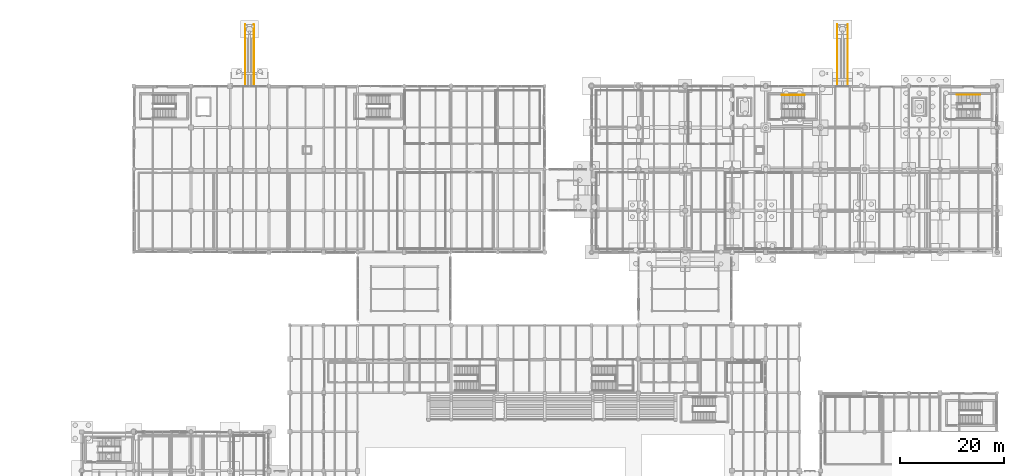
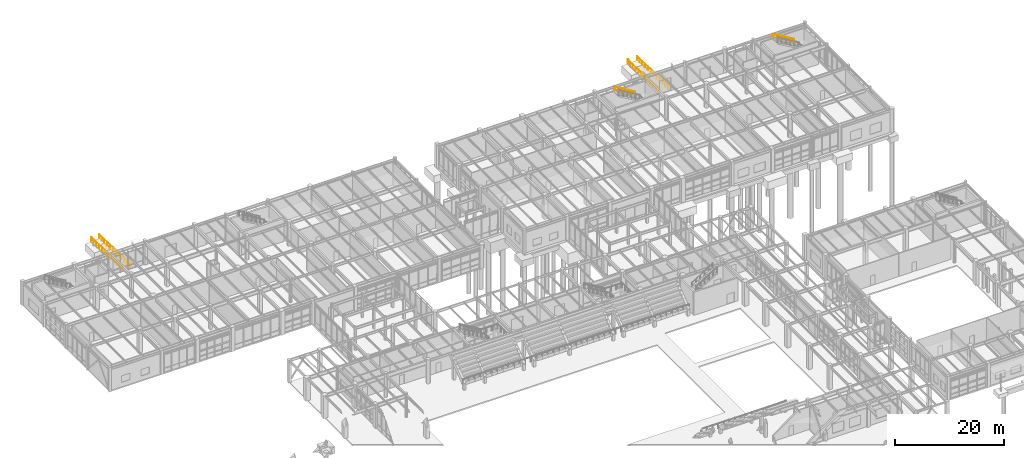
# One storey, part 202 of 203: 6 railings.
"""IFC4 building model written with IfcOpenShell, lengths in metres."""

import ifcopenshell
import ifcopenshell.guid

model = None  # the IFC model being written
_history = None  # IfcOwnerHistory: only IFC2X3 demands one
_inside = {}  # id of a spatial element -> (the spatial element, [elements in it])
_under = {}  # id of a project, library or spatial element -> (it, [spatial elements below it])
_declared = {}  # id of a project -> (the project, [libraries it declares])
_typed = {}  # id of a type object -> (the type object, [elements of that type])
_made_of = {}  # id of a material, layer set ... -> (it, [elements and type objects made of it])


def new_model(schema):
    """Start an empty IFC model of exactly this schema.

    Asked for "IFC4X3", IfcOpenShell would pick the latest addendum, in which some entities
    have other attributes; the version numbers below select the first issue.
    IFC2X3 requires an IfcOwnerHistory on every rooted entity: one is made here for all.
    """
    global model, _history
    if schema == "IFC4X3":
        model = ifcopenshell.file(schema_version=(4, 3, 0, 0))
    else:
        model = ifcopenshell.file(schema=schema)
    _inside.clear()
    _under.clear()
    _declared.clear()
    _typed.clear()
    _made_of.clear()
    _history = None
    if model.schema == "IFC2X3":
        org = make("IfcOrganization", Name="unknown")
        user = make(
            "IfcPersonAndOrganization",
            ThePerson=make("IfcPerson", FamilyName="unknown"),
            TheOrganization=org,
        )
        app = make(
            "IfcApplication",
            ApplicationDeveloper=org,
            Version="unknown",
            ApplicationFullName="unknown",
            ApplicationIdentifier="unknown",
        )
        _history = make(
            "IfcOwnerHistory",
            OwningUser=user,
            OwningApplication=app,
            ChangeAction="ADDED",
            CreationDate=0,
        )
    return model


def make(cls, **values):
    """One entity of the class cls with the attributes given. An attribute that is None is left unset."""
    return model.create_entity(
        cls, **{name: value for name, value in values.items() if value is not None}
    )


def rooted(cls, **values):
    """An entity with a GlobalId (a new one), such as an element, a storey or a relation."""
    return make(cls, GlobalId=ifcopenshell.guid.new(), OwnerHistory=_history, **values)


def si_unit(unit_type, name, prefix=None):
    """IfcSIUnit, for example si_unit("LENGTHUNIT", "METRE", prefix="MILLI")."""
    return make("IfcSIUnit", UnitType=unit_type, Prefix=prefix, Name=name)


def assignment(units):
    """IfcUnitAssignment: the units of a project."""
    return None if units is None else make("IfcUnitAssignment", Units=units)


def point(xyz):
    """IfcCartesianPoint."""
    return None if xyz is None else make("IfcCartesianPoint", Coordinates=xyz)


def direction(xyz):
    """IfcDirection."""
    return None if xyz is None else make("IfcDirection", DirectionRatios=xyz)


def frame(location, z_axis=None, x_axis=None):
    """IfcAxis2Placement3D, a coordinate frame: its origin and axes. An axis left out is left unset."""
    return make(
        "IfcAxis2Placement3D",
        Location=point(location),
        Axis=direction(z_axis),
        RefDirection=direction(x_axis),
    )


def frame_2d(location, x_axis=None):
    """IfcAxis2Placement2D, a coordinate frame in the plane: its origin and x axis."""
    return make(
        "IfcAxis2Placement2D", Location=point(location), RefDirection=direction(x_axis)
    )


def origin():
    """The frame at (0, 0, 0) with its axes left unset."""
    return frame((0.0, 0.0, 0.0))


def origin_2d():
    """The frame at (0, 0) in the plane with its x axis left unset."""
    return frame_2d((0.0, 0.0))


def place(relative_to, where):
    """IfcLocalPlacement: puts the frame where relative to a parent placement (None: the world)."""
    return make(
        "IfcLocalPlacement", PlacementRelTo=relative_to, RelativePlacement=where
    )


def context(
    kind, dimensions, precision=None, world=None, true_north=None, identifier=None
):
    """IfcGeometricRepresentationContext, for example the 3D "Model" context."""
    return make(
        "IfcGeometricRepresentationContext",
        ContextIdentifier=identifier,
        ContextType=kind,
        CoordinateSpaceDimension=dimensions,
        Precision=precision,
        WorldCoordinateSystem=world,
        TrueNorth=true_north,
    )


def subcontext(parent, identifier, kind, view, scale=None):
    """IfcGeometricRepresentationSubContext, for example "Body" below "Model"."""
    return make(
        "IfcGeometricRepresentationSubContext",
        ContextIdentifier=identifier,
        ContextType=kind,
        ParentContext=parent,
        TargetScale=scale,
        TargetView=view,
    )


def project(units=None, contexts=None):
    """IfcProject with its units and contexts."""
    return rooted(
        "IfcProject",
        Name="project",
        RepresentationContexts=contexts,
        UnitsInContext=assignment(units),
    )


def spatial(cls, under=None, at=None, **own):
    """A site, building, storey or space (cls), placed at a placement, below another one or the project."""
    s = rooted(cls, ObjectPlacement=at, **own)
    if under is not None:
        _under.setdefault(under.id(), (under, []))[1].append(s)
    return s


def profile(cls, at=None, kind="AREA", **sizes):
    """A parametric profile (cls). Its sizes go by their IFC names, for example OverallWidth=200.0."""
    return make(cls, ProfileType=kind, Position=at, **sizes)


def circle(**sizes):
    """IfcCircleProfileDef."""
    return profile("IfcCircleProfileDef", **sizes)


def extrude(swept, where, along, depth):
    """IfcExtrudedAreaSolid: the profile swept, set in the frame where, extruded along a direction by depth."""
    return make(
        "IfcExtrudedAreaSolid",
        SweptArea=swept,
        Position=where,
        ExtrudedDirection=direction(along),
        Depth=depth,
    )


def shape(context_of_items, identifier, shape_type, items):
    """IfcShapeRepresentation: the items that make up one representation, for example the "Body"."""
    return make(
        "IfcShapeRepresentation",
        ContextOfItems=context_of_items,
        RepresentationIdentifier=identifier,
        RepresentationType=shape_type,
        Items=items,
    )


def material(Name=None, Category=None):
    """IfcMaterial."""
    return make("IfcMaterial", Name=Name, Category=Category)


def made_of(thing, what):
    """Note that an element or type object is made of a material, layer set ...; save() writes the relation."""
    if what is not None:
        _made_of.setdefault(what.id(), (what, []))[1].append(thing)
    return thing


def type_object(cls, material=None, **own):
    """A type object (cls), such as IfcWallType, which elements share."""
    return made_of(rooted(cls, **own), material)


def element(
    cls,
    number,
    at=None,
    inside=None,
    cuts=None,
    type_object=None,
    material=None,
    context=None,
    identifier="Body",
    shape_type=None,
    held_by="IfcProductDefinitionShape",
    body=None,
    shapes=None,
    **own,
):
    """One element of the class cls, such as IfcWall. Its Tag is "e" and its number.

    at: its placement. inside: the storey or other place that contains it. cuts: it is an
    opening in that element (IfcRelVoidsElement). A single representation is given by context,
    identifier, shape_type and body (its items); several are given by shapes. held_by: the class
    of the entity that holds the representations. save() writes the other relations.
    """
    e = rooted(cls, Tag="e%d" % number, ObjectPlacement=at, **own)
    if body is not None:
        shapes = [shape(context, identifier, shape_type, body)]
    if shapes is not None:
        e.Representation = make(held_by, Representations=shapes)
    if inside is not None:
        _inside.setdefault(inside.id(), (inside, []))[1].append(e)
    if cuts is not None:
        rooted(
            "IfcRelVoidsElement", RelatingBuildingElement=cuts, RelatedOpeningElement=e
        )
    if type_object is not None:
        _typed.setdefault(type_object.id(), (type_object, []))[1].append(e)
    return made_of(e, material)


def aggregate(whole, parts):
    """IfcRelAggregates: a whole, such as a stair, and the parts it consists of."""
    return rooted("IfcRelAggregates", RelatingObject=whole, RelatedObjects=parts)


def save(model, path):
    """Write the relations noted so far, then the file.

    IfcRelAggregates (storeys below a building ...), IfcRelContainedInSpatialStructure (elements
    in a storey), IfcRelDefinesByType, IfcRelAssociatesMaterial and IfcRelDeclares: one each for
    every whole, place, type object, material and project.
    """
    for whole, parts in _under.values():
        aggregate(whole, parts)
    for where, things in _inside.values():
        rooted(
            "IfcRelContainedInSpatialStructure",
            RelatedElements=things,
            RelatingStructure=where,
        )
    for kind, things in _typed.values():
        rooted("IfcRelDefinesByType", RelatedObjects=things, RelatingType=kind)
    for what, things in _made_of.values():
        rooted("IfcRelAssociatesMaterial", RelatedObjects=things, RelatingMaterial=what)
    for by, libraries in _declared.values():
        rooted("IfcRelDeclares", RelatingContext=by, RelatedDefinitions=libraries)
    model.write(path)


model = new_model("IFC4")

# Units and contexts
model_context = context("Model", 3, precision=1e-05, world=origin(), true_north=direction((0.0, 1.0)))
body_context = subcontext(model_context, "Body", "Model", "MODEL_VIEW")
ifc_project = project(units=[si_unit("LENGTHUNIT", "METRE"), si_unit("AREAUNIT", "SQUARE_METRE"), si_unit("VOLUMEUNIT", "CUBIC_METRE"), si_unit("PLANEANGLEUNIT", "RADIAN"), si_unit("MASSUNIT", "GRAM", prefix="KILO"), si_unit("THERMODYNAMICTEMPERATUREUNIT", "KELVIN"), si_unit("POWERUNIT", "WATT")], contexts=[model_context])

# Site, building, storey
site_placement = place(None, origin())
site = spatial("IfcSite", under=ifc_project, at=site_placement, CompositionType="ELEMENT")
building_placement = place(site_placement, origin())
building = spatial("IfcBuilding", under=site, at=building_placement, Name="Tepalcoro Natatorium and Aquatics Centre", CompositionType="ELEMENT")
storey_placement = place(building_placement, origin())
storey = spatial("IfcBuildingStorey", under=building, at=storey_placement, Name="L00", CompositionType="ELEMENT", Elevation=0.0)

# Railings
ifc_material_1 = material(Name="Bronze-Anodised Extruded Aluminium Alloy EN AW-6063 T6", Category="aluminium")
railing_type_1 = type_object("IfcRailingType", Name="RL_HAND_900_BRZ", PredefinedType="HANDRAIL", material=ifc_material_1)
railing_1_placement = place(storey_placement, frame((145.260009765625, 129.800048828125, -0.47998046875)))
element("IfcRailing", 1, at=railing_1_placement, inside=storey, type_object=railing_type_1, Name="RMP06 Accessible Ramp Handrail L", PredefinedType="HANDRAIL", context=body_context, shape_type="SweptSolid", body=[
    extrude(circle(Radius=0.02392578125, at=origin_2d()), frame((0.0, 0.0, 0.8759765625), z_axis=(0.0, -1.0, 0.0), x_axis=(1.0, 0.0, 0.0)), (0.0, 0.0, 1.0), 1.800048828125),
    extrude(circle(Radius=0.02392578125, at=origin_2d()), frame((0.0, -1.800048828125, 0.8759765625), z_axis=(0.0, -0.998770383715, 0.049575403312), x_axis=(1.0, 0.0, 0.0)), (0.0, 0.0, 1.0), 9.681884765625),
    extrude(circle(Radius=0.02099609375, at=origin_2d()), origin(), (0.0, 0.0, 1.0), 0.851806640625),
    extrude(circle(Radius=0.02099609375, at=origin_2d()), frame((0.0, -0.89990234375, 0.0)), (0.0, 0.0, 1.0), 0.851806640625),
    extrude(circle(Radius=0.02099609375, at=origin_2d()), frame((0.0, -1.800048828125, 0.0)), (0.0, 0.0, 1.0), 0.851806640625),
    extrude(circle(Radius=0.02099609375, at=origin_2d()), frame((0.0, -2.87451171875, 0.05322265625)), (0.0, 0.0, 1.0), 0.851806640625),
    extrude(circle(Radius=0.02099609375, at=origin_2d()), frame((0.0, -3.948974609375, 0.106689453125)), (0.0, 0.0, 1.0), 0.851806640625),
    extrude(circle(Radius=0.02099609375, at=origin_2d()), frame((0.0, -5.0234375, 0.159912109375)), (0.0, 0.0, 1.0), 0.851806640625),
    extrude(circle(Radius=0.02099609375, at=origin_2d()), frame((0.0, -6.097900390625, 0.21337890625)), (0.0, 0.0, 1.0), 0.851806640625),
    extrude(circle(Radius=0.02099609375, at=origin_2d()), frame((0.0, -7.172119140625, 0.2666015625)), (0.0, 0.0, 1.0), 0.851806640625),
    extrude(circle(Radius=0.02099609375, at=origin_2d()), frame((0.0, -8.24658203125, 0.320068359375)), (0.0, 0.0, 1.0), 0.851806640625),
    extrude(circle(Radius=0.02099609375, at=origin_2d()), frame((0.0, -9.321044921875, 0.373291015625)), (0.0, 0.0, 1.0), 0.851806640625),
    extrude(circle(Radius=0.02099609375, at=origin_2d()), frame((0.0, -10.3955078125, 0.4267578125)), (0.0, 0.0, 1.0), 0.851806640625),
    extrude(circle(Radius=0.02099609375, at=origin_2d()), frame((0.0, -11.469970703125, 0.47998046875)), (0.0, 0.0, 1.0), 0.851806640625),
])
railing_2_placement = place(storey_placement, frame((147.239990234375, 129.800048828125, -0.47998046875)))
element("IfcRailing", 2, at=railing_2_placement, inside=storey, type_object=railing_type_1, Name="RMP06 Accessible Ramp Handrail R", PredefinedType="HANDRAIL", context=body_context, shape_type="SweptSolid", body=[
    extrude(circle(Radius=0.02392578125, at=origin_2d()), frame((0.0, 0.0, 0.8759765625), z_axis=(0.0, -1.0, 0.0), x_axis=(1.0, 0.0, 0.0)), (0.0, 0.0, 1.0), 1.800048828125),
    extrude(circle(Radius=0.02392578125, at=origin_2d()), frame((0.0, -1.800048828125, 0.8759765625), z_axis=(0.0, -0.998770383715, 0.049575403312), x_axis=(1.0, 0.0, 0.0)), (0.0, 0.0, 1.0), 9.681884765625),
    extrude(circle(Radius=0.02099609375, at=origin_2d()), origin(), (0.0, 0.0, 1.0), 0.851806640625),
    extrude(circle(Radius=0.02099609375, at=origin_2d()), frame((0.0, -0.89990234375, 0.0)), (0.0, 0.0, 1.0), 0.851806640625),
    extrude(circle(Radius=0.02099609375, at=origin_2d()), frame((0.0, -1.800048828125, 0.0)), (0.0, 0.0, 1.0), 0.851806640625),
    extrude(circle(Radius=0.02099609375, at=origin_2d()), frame((0.0, -2.87451171875, 0.05322265625)), (0.0, 0.0, 1.0), 0.851806640625),
    extrude(circle(Radius=0.02099609375, at=origin_2d()), frame((0.0, -3.948974609375, 0.106689453125)), (0.0, 0.0, 1.0), 0.851806640625),
    extrude(circle(Radius=0.02099609375, at=origin_2d()), frame((0.0, -5.0234375, 0.159912109375)), (0.0, 0.0, 1.0), 0.851806640625),
    extrude(circle(Radius=0.02099609375, at=origin_2d()), frame((0.0, -6.097900390625, 0.21337890625)), (0.0, 0.0, 1.0), 0.851806640625),
    extrude(circle(Radius=0.02099609375, at=origin_2d()), frame((0.0, -7.172119140625, 0.2666015625)), (0.0, 0.0, 1.0), 0.851806640625),
    extrude(circle(Radius=0.02099609375, at=origin_2d()), frame((0.0, -8.24658203125, 0.320068359375)), (0.0, 0.0, 1.0), 0.851806640625),
    extrude(circle(Radius=0.02099609375, at=origin_2d()), frame((0.0, -9.321044921875, 0.373291015625)), (0.0, 0.0, 1.0), 0.851806640625),
    extrude(circle(Radius=0.02099609375, at=origin_2d()), frame((0.0, -10.3955078125, 0.4267578125)), (0.0, 0.0, 1.0), 0.851806640625),
    extrude(circle(Radius=0.02099609375, at=origin_2d()), frame((0.0, -11.469970703125, 0.47998046875)), (0.0, 0.0, 1.0), 0.851806640625),
])
ifc_material_2 = material(Name="Marine-Grade Brushed Stainless Steel AISI 316L", Category="steel")
railing_type_2 = type_object("IfcRailingType", Name="RL_HAND_920_SS", PredefinedType="HANDRAIL", material=ifc_material_2)
for number, where, name in (
    (3, (138.97509765625, 116.27001953125, 2.699951171875), "ST09-L00 Wall Handrail F2"),
    (4, (172.705078125, 116.2900390625, 2.699951171875), "ST10-L00 Wall Handrail F2"),
):
    element("IfcRailing", number, at=place(storey_placement, frame(where)), inside=storey, type_object=railing_type_2, Name=name, PredefinedType="HANDRAIL", context=body_context, shape_type="SweptSolid", body=[
        extrude(circle(Radius=0.02392578125, at=origin_2d()), frame((0.0, 0.0, 0.89599609375), z_axis=(-0.853646024003, 0.0, 0.520853593349), x_axis=(0.0, -1.0, 0.0)), (0.0, 0.0, 1.0), 5.18359375),
        extrude(circle(Radius=0.02099609375, at=origin_2d()), origin(), (0.0, 0.0, 1.0), 0.871826171875),
        extrude(circle(Radius=0.02099609375, at=origin_2d()), frame((-0.885009765625, 0.0, 0.5400390625)), (0.0, 0.0, 1.0), 0.871826171875),
        extrude(circle(Radius=0.02099609375, at=origin_2d()), frame((-1.77001953125, 0.0, 1.080078125)), (0.0, 0.0, 1.0), 0.871826171875),
        extrude(circle(Radius=0.02099609375, at=origin_2d()), frame((-2.655029296875, 0.0, 1.619873046875)), (0.0, 0.0, 1.0), 0.871826171875),
        extrude(circle(Radius=0.02099609375, at=origin_2d()), frame((-3.5400390625, 0.0, 2.159912109375)), (0.0, 0.0, 1.0), 0.871826171875),
        extrude(circle(Radius=0.02099609375, at=origin_2d()), frame((-4.425048828125, 0.0, 2.699951171875)), (0.0, 0.0, 1.0), 0.871826171875),
    ])
railing_3_placement = place(storey_placement, frame((31.409912109375, 129.800048828125, -0.47998046875)))
element("IfcRailing", 5, at=railing_3_placement, inside=storey, type_object=railing_type_2, Name="RMP05 Accessible Ramp Handrail L", PredefinedType="HANDRAIL", context=body_context, shape_type="SweptSolid", body=[
    extrude(circle(Radius=0.02392578125, at=origin_2d()), frame((0.0, 0.0, 0.89599609375), z_axis=(0.0, -1.0, 0.0), x_axis=(1.0, 0.0, 0.0)), (0.0, 0.0, 1.0), 1.800048828125),
    extrude(circle(Radius=0.02392578125, at=origin_2d()), frame((0.0, -1.800048828125, 0.89599609375), z_axis=(0.0, -0.998770383715, 0.049575403312), x_axis=(1.0, 0.0, 0.0)), (0.0, 0.0, 1.0), 9.681884765625),
    extrude(circle(Radius=0.02099609375, at=origin_2d()), origin(), (0.0, 0.0, 1.0), 0.871826171875),
    extrude(circle(Radius=0.02099609375, at=origin_2d()), frame((0.0, -0.89990234375, 0.0)), (0.0, 0.0, 1.0), 0.871826171875),
    extrude(circle(Radius=0.02099609375, at=origin_2d()), frame((0.0, -1.800048828125, 0.0)), (0.0, 0.0, 1.0), 0.871826171875),
    extrude(circle(Radius=0.02099609375, at=origin_2d()), frame((0.0, -2.87451171875, 0.05322265625)), (0.0, 0.0, 1.0), 0.871826171875),
    extrude(circle(Radius=0.02099609375, at=origin_2d()), frame((0.0, -3.948974609375, 0.106689453125)), (0.0, 0.0, 1.0), 0.871826171875),
    extrude(circle(Radius=0.02099609375, at=origin_2d()), frame((0.0, -5.0234375, 0.159912109375)), (0.0, 0.0, 1.0), 0.871826171875),
    extrude(circle(Radius=0.02099609375, at=origin_2d()), frame((0.0, -6.097900390625, 0.21337890625)), (0.0, 0.0, 1.0), 0.871826171875),
    extrude(circle(Radius=0.02099609375, at=origin_2d()), frame((0.0, -7.172119140625, 0.2666015625)), (0.0, 0.0, 1.0), 0.871826171875),
    extrude(circle(Radius=0.02099609375, at=origin_2d()), frame((0.0, -8.24658203125, 0.320068359375)), (0.0, 0.0, 1.0), 0.871826171875),
    extrude(circle(Radius=0.02099609375, at=origin_2d()), frame((0.0, -9.321044921875, 0.373291015625)), (0.0, 0.0, 1.0), 0.871826171875),
    extrude(circle(Radius=0.02099609375, at=origin_2d()), frame((0.0, -10.3955078125, 0.4267578125)), (0.0, 0.0, 1.0), 0.871826171875),
    extrude(circle(Radius=0.02099609375, at=origin_2d()), frame((0.0, -11.469970703125, 0.47998046875)), (0.0, 0.0, 1.0), 0.871826171875),
])
railing_4_placement = place(storey_placement, frame((33.090087890625, 129.800048828125, -0.47998046875)))
element("IfcRailing", 6, at=railing_4_placement, inside=storey, type_object=railing_type_2, Name="RMP05 Accessible Ramp Handrail R", PredefinedType="HANDRAIL", context=body_context, shape_type="SweptSolid", body=[
    extrude(circle(Radius=0.02392578125, at=origin_2d()), frame((0.0, 0.0, 0.89599609375), z_axis=(0.0, -1.0, 0.0), x_axis=(1.0, 0.0, 0.0)), (0.0, 0.0, 1.0), 1.800048828125),
    extrude(circle(Radius=0.02392578125, at=origin_2d()), frame((0.0, -1.800048828125, 0.89599609375), z_axis=(0.0, -0.998770383715, 0.049575403312), x_axis=(1.0, 0.0, 0.0)), (0.0, 0.0, 1.0), 9.681884765625),
    extrude(circle(Radius=0.02099609375, at=origin_2d()), origin(), (0.0, 0.0, 1.0), 0.871826171875),
    extrude(circle(Radius=0.02099609375, at=origin_2d()), frame((0.0, -0.89990234375, 0.0)), (0.0, 0.0, 1.0), 0.871826171875),
    extrude(circle(Radius=0.02099609375, at=origin_2d()), frame((0.0, -1.800048828125, 0.0)), (0.0, 0.0, 1.0), 0.871826171875),
    extrude(circle(Radius=0.02099609375, at=origin_2d()), frame((0.0, -2.87451171875, 0.05322265625)), (0.0, 0.0, 1.0), 0.871826171875),
    extrude(circle(Radius=0.02099609375, at=origin_2d()), frame((0.0, -3.948974609375, 0.106689453125)), (0.0, 0.0, 1.0), 0.871826171875),
    extrude(circle(Radius=0.02099609375, at=origin_2d()), frame((0.0, -5.0234375, 0.159912109375)), (0.0, 0.0, 1.0), 0.871826171875),
    extrude(circle(Radius=0.02099609375, at=origin_2d()), frame((0.0, -6.097900390625, 0.21337890625)), (0.0, 0.0, 1.0), 0.871826171875),
    extrude(circle(Radius=0.02099609375, at=origin_2d()), frame((0.0, -7.172119140625, 0.2666015625)), (0.0, 0.0, 1.0), 0.871826171875),
    extrude(circle(Radius=0.02099609375, at=origin_2d()), frame((0.0, -8.24658203125, 0.320068359375)), (0.0, 0.0, 1.0), 0.871826171875),
    extrude(circle(Radius=0.02099609375, at=origin_2d()), frame((0.0, -9.321044921875, 0.373291015625)), (0.0, 0.0, 1.0), 0.871826171875),
    extrude(circle(Radius=0.02099609375, at=origin_2d()), frame((0.0, -10.3955078125, 0.4267578125)), (0.0, 0.0, 1.0), 0.871826171875),
    extrude(circle(Radius=0.02099609375, at=origin_2d()), frame((0.0, -11.469970703125, 0.47998046875)), (0.0, 0.0, 1.0), 0.871826171875),
])

save(model, "model.ifc")
